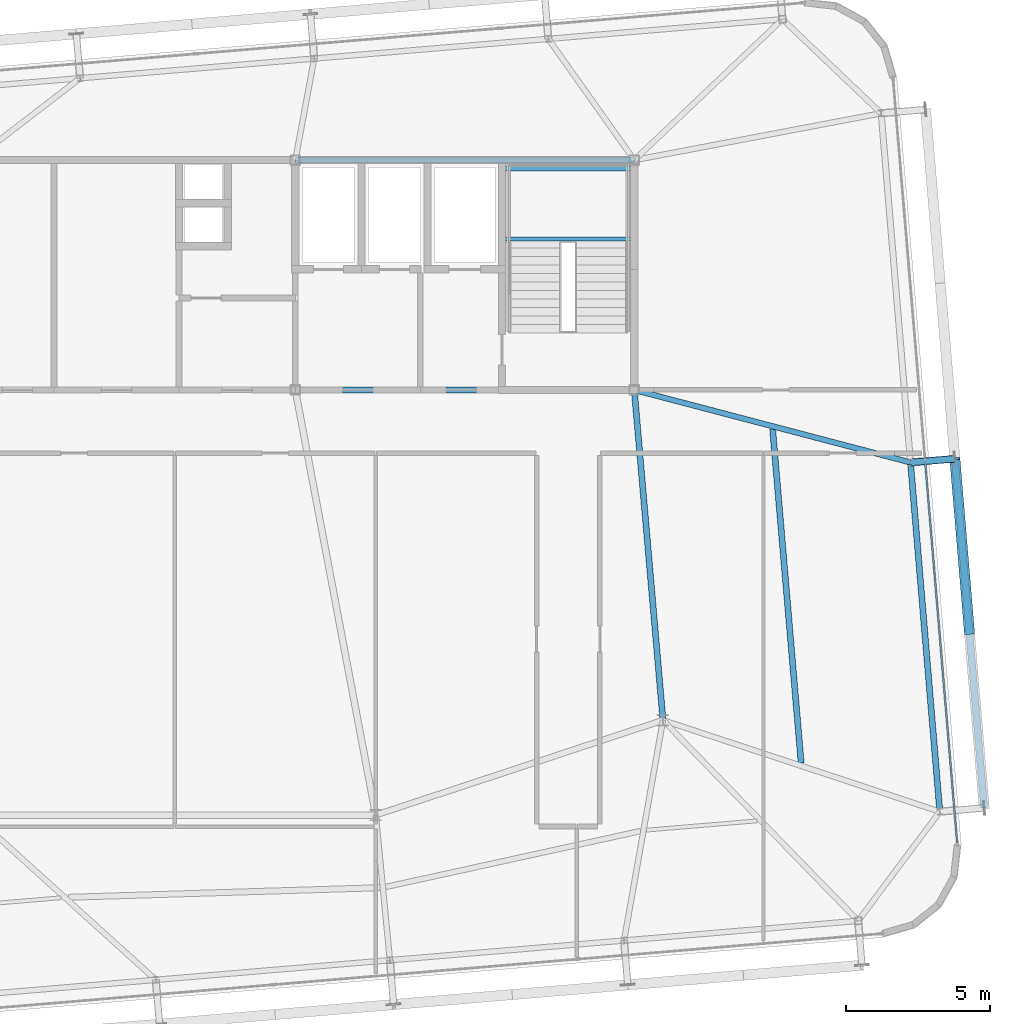
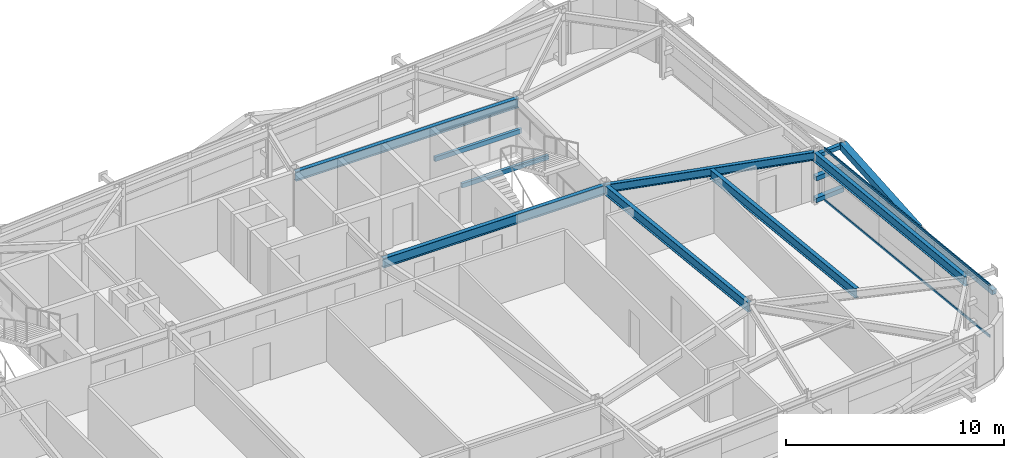
# One storey, part 19 of 37: 8 beams, 7 members, 1 element without a shape of its own.
"""IFC4 building model written with IfcOpenShell, lengths in metres."""

from ifc_helpers import new_model, si_unit, direction, frame, origin, origin_2d, place, context, subcontext, project, spatial, hollow_rectangle, i_section, extrude, source, transform, mapped, material, layer, layer_set, material_profile, profile_set, type_object, element, aggregate, save


model = new_model("IFC4")

# Units and contexts
model_context = context("Model", 3, precision=1e-05, world=origin(), true_north=direction((0.0, 1.0)))
body_context = subcontext(model_context, "Body", "Model", "MODEL_VIEW")
ifc_project = project(units=[si_unit("LENGTHUNIT", "METRE"), si_unit("AREAUNIT", "SQUARE_METRE"), si_unit("VOLUMEUNIT", "CUBIC_METRE"), si_unit("PLANEANGLEUNIT", "RADIAN"), si_unit("MASSUNIT", "GRAM", prefix="KILO")], contexts=[model_context])

# Site, building, storey
site_placement = place(None, origin())
site = spatial("IfcSite", under=ifc_project, at=site_placement, CompositionType="ELEMENT")
building_placement = place(site_placement, origin())
building = spatial("IfcBuilding", under=site, at=building_placement, Name="Taldren Reach Tower", CompositionType="ELEMENT")
storey_placement = place(building_placement, frame((0.0, 0.0, 172.550048828125)))
storey = spatial("IfcBuildingStorey", under=building, at=storey_placement, Name="L52", CompositionType="ELEMENT", Elevation=172.550048828125)

# Beams
ifc_material_1 = material(Name="Steel Gr 350 (350PLUS)", Category="steel")
ifc_material_profile_1 = material_profile(ifc_material_1, i_section(OverallWidth=0.208984375, OverallDepth=0.532958984375, WebThickness=0.01025390625, FlangeThickness=0.015625, at=origin_2d()), Name="530UB92.4")
ifc_profile_set_1 = profile_set([ifc_material_profile_1], Name="Steel Gr 350 (350PLUS)")
beam_type_1 = type_object("IfcBeamType", Name="BM-UB530A", PredefinedType="BEAM", material=ifc_profile_set_1)
shared_shape_1 = source(origin(), body_context, "Body", "SweptSolid", [
    extrude(i_section(OverallWidth=0.208984375, OverallDepth=0.532958984375, WebThickness=0.01025390625, FlangeThickness=0.015625, at=origin_2d()), origin(), (0.0, 0.0, 1.0), 11.800048828125),
])
for number, where, z_axis, x_axis, name in (
    (1, (39.199951171875, 24.0, 2.663330078125), (1.0, 0.0, 0.0), (0.0, 1.0, 0.0), "Core-spine girder L52-SP03"),
    (2, (39.199951171875, 32.0, 2.663330078125), (1.0, 0.0, 0.0), (0.0, 1.0, 0.0), "Core-spine girder L52-SP06"),
):
    element("IfcBeam", number, at=place(storey_placement, frame(where, z_axis=z_axis, x_axis=x_axis)), inside=storey, type_object=beam_type_1, Name=name, PredefinedType="BEAM", context=body_context, shape_type="MappedRepresentation", body=[
        mapped(shared_shape_1, transform((0.0, 0.0, 0.0), scale=1.0)),
    ])
shared_shape_2 = source(origin(), body_context, "Body", "SweptSolid", [
    extrude(i_section(OverallWidth=0.208984375, OverallDepth=0.532958984375, WebThickness=0.01025390625, FlangeThickness=0.015625, at=origin_2d()), origin(), (0.0, 0.0, 1.0), 11.54345703125),
])
beam_1_placement = place(storey_placement, frame((52.0, 12.5, 2.663330078125), z_axis=(-0.086629616365, 0.996240588196, 0.0), x_axis=(-0.996240588196, -0.086629616365, 0.0)))
element("IfcBeam", 3, at=beam_1_placement, inside=storey, type_object=beam_type_1, Name="Core-spine girder L52-SP13", PredefinedType="BEAM", context=body_context, shape_type="MappedRepresentation", body=[
    mapped(shared_shape_2, transform((0.0, 0.0, 0.0), scale=1.0)),
])
ifc_material_profile_2 = material_profile(ifc_material_1, i_section(OverallWidth=0.208984375, OverallDepth=0.528076171875, WebThickness=0.009521484375, FlangeThickness=0.01318359375, at=origin_2d()), Name="530UB82.0")
ifc_profile_set_2 = profile_set([ifc_material_profile_2], Name="Steel Gr 350 (350PLUS)")
beam_type_2 = type_object("IfcBeamType", Name="SP-UB530B", PredefinedType="SPANDREL", material=ifc_profile_set_2)
shared_shape_3 = source(origin(), body_context, "Body", "SweptSolid", [
    extrude(i_section(OverallWidth=0.208984375, OverallDepth=0.528076171875, WebThickness=0.009521484375, FlangeThickness=0.01318359375, at=origin_2d()), origin(), (0.0, 0.0, 1.0), 12.199951171875),
])
beam_2_placement = place(storey_placement, frame((61.63818359375, 9.317626953125, 2.666015625), z_axis=(-0.083688038336, 0.996492003099, 0.0), x_axis=(-0.996492003099, -0.083688038336, 0.0)))
element("IfcBeam", 4, at=beam_2_placement, inside=storey, type_object=beam_type_2, Name="Perimeter spandrel B4 E1-E2 L52", PredefinedType="SPANDREL", context=body_context, shape_type="MappedRepresentation", body=[
    mapped(shared_shape_3, transform((0.0, 0.0, 0.0), scale=1.0)),
])
ifc_material_profile_3 = material_profile(ifc_material_1, i_section(OverallWidth=0.19091796875, OverallDepth=0.4599609375, WebThickness=0.010009765625, FlangeThickness=0.01611328125, at=origin_2d()), Name="460UB82.1")
ifc_profile_set_3 = profile_set([ifc_material_profile_3], Name="Steel Gr 350 (350PLUS)")
beam_type_3 = type_object("IfcBeamType", Name="BM-UB460A", PredefinedType="BEAM", material=ifc_profile_set_3)
shared_shape_4 = source(origin(), body_context, "Body", "SweptSolid", [
    extrude(i_section(OverallWidth=0.19091796875, OverallDepth=0.4599609375, WebThickness=0.010009765625, FlangeThickness=0.01611328125, at=origin_2d()), origin(), (0.0, 0.0, 1.0), 9.943115234375),
])
beam_3_placement = place(storey_placement, frame((51.0, 24.0, 2.699951171875), z_axis=(0.967215285987, -0.253957851923, 0.0), x_axis=(0.253957851923, 0.967215285987, 0.0)))
element("IfcBeam", 5, at=beam_3_placement, inside=storey, type_object=beam_type_3, Name="Primary floor girder B4-E2 L52", PredefinedType="BEAM", context=body_context, shape_type="MappedRepresentation", body=[
    mapped(shared_shape_4, transform((0.0, 0.0, 0.0), scale=1.0)),
])
shared_shape_5 = source(origin(), body_context, "Body", "SweptSolid", [
    extrude(i_section(OverallWidth=0.208984375, OverallDepth=0.532958984375, WebThickness=0.01025390625, FlangeThickness=0.015625, at=origin_2d()), origin(), (0.0, 0.0, 1.0), 11.66650390625),
])
beam_4_placement = place(storey_placement, frame((56.810302734375, 11.01220703125, 2.663330078125), z_axis=(-0.085128704566, 0.996369963246, 0.0), x_axis=(-0.996369963246, -0.085128704566, 0.0)))
element("IfcBeam", 6, at=beam_4_placement, inside=storey, type_object=beam_type_1, Name="Secondary floor beam B4 J7 L52", PredefinedType="BEAM", context=body_context, shape_type="MappedRepresentation", body=[
    mapped(shared_shape_5, transform((0.0, 0.0, 0.0), scale=1.0)),
])

# Members
ifc_material_2 = material(Name="Steel Gr 450 (C450L0)", Category="steel")
ifc_material_profile_4 = material_profile(ifc_material_2, hollow_rectangle(XDim=0.219970703125, YDim=0.219970703125, WallThickness=0.00830078125, at=origin_2d()), Name="220x220x8.2SHS")
ifc_profile_set_4 = profile_set([ifc_material_profile_4], Name="Steel Gr 450 (C450L0)")
member_type_1 = type_object("IfcMemberType", Name="MB-TIE219", PredefinedType="STRUT", material=ifc_profile_set_4)
shared_shape_6 = source(origin(), body_context, "Body", "SweptSolid", [
    extrude(hollow_rectangle(XDim=0.219970703125, YDim=0.219970703125, WallThickness=0.00830078125, at=origin_2d()), origin(), (0.0, 0.0, 1.0), 1.54541015625),
])
member_1_placement = place(storey_placement, frame((60.621826171875, 21.47509765625, 2.64990234375), z_axis=(0.99648887425, 0.083725285883, 0.0), x_axis=(-0.083725285883, 0.99648887425, 0.0)))
element("IfcMember", 7, at=member_1_placement, inside=storey, type_object=member_type_1, Name="Exoskeleton diaphragm tie strut B4-E2 L52", PredefinedType="STRUT", context=body_context, shape_type="MappedRepresentation", body=[
    mapped(shared_shape_6, transform((0.0, 0.0, 0.0), scale=1.0)),
])
ifc_material_3 = material(Name="Steel Gr 350 (C350L0)", Category="steel")
ifc_material_profile_5 = material_profile(ifc_material_3, hollow_rectangle(XDim=0.25, YDim=0.25, WallThickness=0.010009765625, at=origin_2d()), Name="250x250x10.0SHS")
ifc_profile_set_5 = profile_set([ifc_material_profile_5], Name="Steel Gr 350 (C350L0)")
member_type_2 = type_object("IfcMemberType", Name="MB-POST250", PredefinedType="POST", material=ifc_profile_set_5)
shared_shape_7 = source(origin(), body_context, "Body", "SweptSolid", [
    extrude(hollow_rectangle(XDim=0.25, YDim=0.25, WallThickness=0.010009765625, at=origin_2d()), origin(), (0.0, 0.0, 1.0), 12.199951171875),
])
member_2_placement = place(storey_placement, frame((63.1826171875, 9.447265625, 1.43505859375), z_axis=(-0.083668166953, 0.99649367175, 0.0), x_axis=(-0.99649367175, -0.083668166953, 0.0)))
element("IfcMember", 8, at=member_2_placement, inside=storey, type_object=member_type_2, Name="Exoskeleton mid-height ring chord B4-E1 L52", PredefinedType="POST", context=body_context, shape_type="MappedRepresentation", body=[
    mapped(shared_shape_7, transform((0.0, 0.0, 0.0), scale=1.0)),
])
shared_shape_8 = source(origin(), body_context, "Body", "SweptSolid", [
    extrude(hollow_rectangle(XDim=0.25, YDim=0.25, WallThickness=0.010009765625, at=origin_2d()), origin(), (0.0, 0.0, 1.0), 1.54541015625),
])
for number, where, z_axis, x_axis, name in (
    (9, (60.621826171875, 21.47509765625, 0.219970703125), (0.99648887425, 0.083725285883, 0.0), (-0.083725285883, 0.99648887425, 0.0), "Exoskeleton base diaphragm tie strut B4-E2 L52"),
    (10, (60.621826171875, 21.47509765625, 1.43505859375), (0.99648887425, 0.083725285883, 0.0), (-0.083725285883, 0.99648887425, 0.0), "Exoskeleton mid-tier diaphragm tie B4-E2 L52"),
):
    element("IfcMember", number, at=place(storey_placement, frame(where, z_axis=z_axis, x_axis=x_axis)), inside=storey, type_object=member_type_2, Name=name, PredefinedType="POST", context=body_context, shape_type="MappedRepresentation", body=[
        mapped(shared_shape_8, transform((0.0, 0.0, 0.0), scale=1.0)),
    ])
ifc_material_profile_6 = material_profile(ifc_material_2, hollow_rectangle(XDim=0.360107421875, YDim=0.360107421875, WallThickness=0.0126953125, at=origin_2d()), Name="360x360x12.7SHS")
ifc_profile_set_6 = profile_set([ifc_material_profile_6], Name="Steel Gr 450 (C450L0)")
member_type_3 = type_object("IfcMemberType", Name="MB-EXO356", PredefinedType="BRACE", material=ifc_profile_set_6)
shared_shape_9 = source(origin(), body_context, "Body", "SweptSolid", [
    extrude(hollow_rectangle(XDim=0.360107421875, YDim=0.360107421875, WallThickness=0.0126953125, at=origin_2d()), origin(), (0.0, 0.0, 1.0), 6.2197265625),
])
member_3_placement = place(storey_placement, frame((62.672119140625, 15.52587890625, 1.43505859375), z_axis=(-0.082037206294, 0.977302565702, 0.195319205034), x_axis=(-0.996495340012, -0.08364829547, 0.0)))
element("IfcMember", 11, at=member_3_placement, inside=storey, type_object=member_type_3, Name="Exoskeleton Diagrid Brace B4-E1 L52", PredefinedType="BRACE", context=body_context, shape_type="MappedRepresentation", body=[
    mapped(shared_shape_9, transform((0.0, 0.0, 0.0), scale=1.0)),
])

# Curtain wall, members
ifc_material_4 = material(Name="Aluminium and Low-E Glass Unitised System", Category="aluminium")
ifc_layer = layer(ifc_material_4, 0.159912109375)
ifc_layer_set = layer_set([ifc_layer], Name="Aluminium and Low-E Glass Unitised System")
curtain_wall_type = type_object("IfcCurtainWallType", Name="CW-SYS-5", PredefinedType="NOTDEFINED", material=ifc_layer_set)
curtain_wall_placement = place(storey_placement, origin())
curtain_wall = element("IfcCurtainWall", 12, at=curtain_wall_placement, inside=storey, type_object=curtain_wall_type, Name="Unitised curtain wall CW-L52-E", PredefinedType="NOTDEFINED")
ifc_material_5 = material(Name="Anodised Aluminium 6063-T6", Category="aluminium")
ifc_material_profile_7 = material_profile(ifc_material_5, hollow_rectangle(XDim=0.06005859375, YDim=0.135009765625, WallThickness=0.00341796875, at=origin_2d()), Name="ALU-135x60x3.5RHS")
ifc_profile_set_7 = profile_set([ifc_material_profile_7], Name="Anodised Aluminium 6063-T6")
member_type_4 = type_object("IfcMemberType", Name="CW-TRN-150", PredefinedType="USERDEFINED", material=ifc_profile_set_7)
shared_shape_10 = source(origin(), body_context, "Body", "SweptSolid", [
    extrude(hollow_rectangle(XDim=0.06005859375, YDim=0.135009765625, WallThickness=0.00341796875, at=origin_2d()), origin(), (0.0, 0.0, 1.0), 13.295166015625),
])
member_4_placement = place(storey_placement, frame((62.240966796875, 8.234130859375, 0.030029296875), z_axis=(-0.083680700004, 0.996492619364, 0.0), x_axis=(-0.996492619364, -0.083680700004, 0.0)))
member_4 = element("IfcMember", 13, at=member_4_placement, type_object=member_type_4, Name="CW-5 transom 1.1", ObjectType="TRANSOM", PredefinedType="USERDEFINED", context=body_context, shape_type="MappedRepresentation", body=[
    mapped(shared_shape_10, transform((0.0, 0.0, 0.0), scale=1.0)),
])
member_5_placement = place(storey_placement, frame((62.240966796875, 8.234130859375, 2.89990234375), z_axis=(-0.083680700004, 0.996492619364, 0.0), x_axis=(-0.996492619364, -0.083680700004, 0.0)))
member_5 = element("IfcMember", 14, at=member_5_placement, type_object=member_type_4, Name="CW-5 transom 1.2", ObjectType="TRANSOM", PredefinedType="USERDEFINED", context=body_context, shape_type="MappedRepresentation", body=[
    mapped(shared_shape_10, transform((0.0, 0.0, 0.0), scale=1.0)),
])
aggregate(curtain_wall, [member_4, member_5])

# Beams
ifc_material_profile_8 = material_profile(ifc_material_3, hollow_rectangle(XDim=0.14990234375, YDim=0.25, WallThickness=0.009033203125, at=origin_2d()), Name="250x150x9.0RHS")
ifc_profile_set_8 = profile_set([ifc_material_profile_8], Name="Steel Gr 350 (C350L0)")
beam_type_4 = type_object("IfcBeamType", Name="LN-RHS250", PredefinedType="LINTEL", material=ifc_profile_set_8)
shared_shape_11 = source(origin(), body_context, "Body", "SweptSolid", [
    extrude(hollow_rectangle(XDim=0.14990234375, YDim=0.25, WallThickness=0.009033203125, at=origin_2d()), origin(), (0.0, 0.0, 1.0), 4.60009765625),
])
for number, where, z_axis, x_axis, name in (
    (15, (46.39990234375, 29.2548828125, 1.27001953125), (1.0, 0.0, 0.0), (0.0, 1.0, 0.0), "Stair half-landing support beam ST2-L52-1"),
    (16, (46.39990234375, 31.699951171875, 1.27001953125), (1.0, 0.0, 0.0), (0.0, 1.0, 0.0), "Stair half-landing support beam ST2-L52-2"),
):
    element("IfcBeam", number, at=place(storey_placement, frame(where, z_axis=z_axis, x_axis=x_axis)), inside=storey, type_object=beam_type_4, Name=name, PredefinedType="LINTEL", context=body_context, shape_type="MappedRepresentation", body=[
        mapped(shared_shape_11, transform((0.0, 0.0, 0.0), scale=1.0)),
    ])

save(model, "model.ifc")
